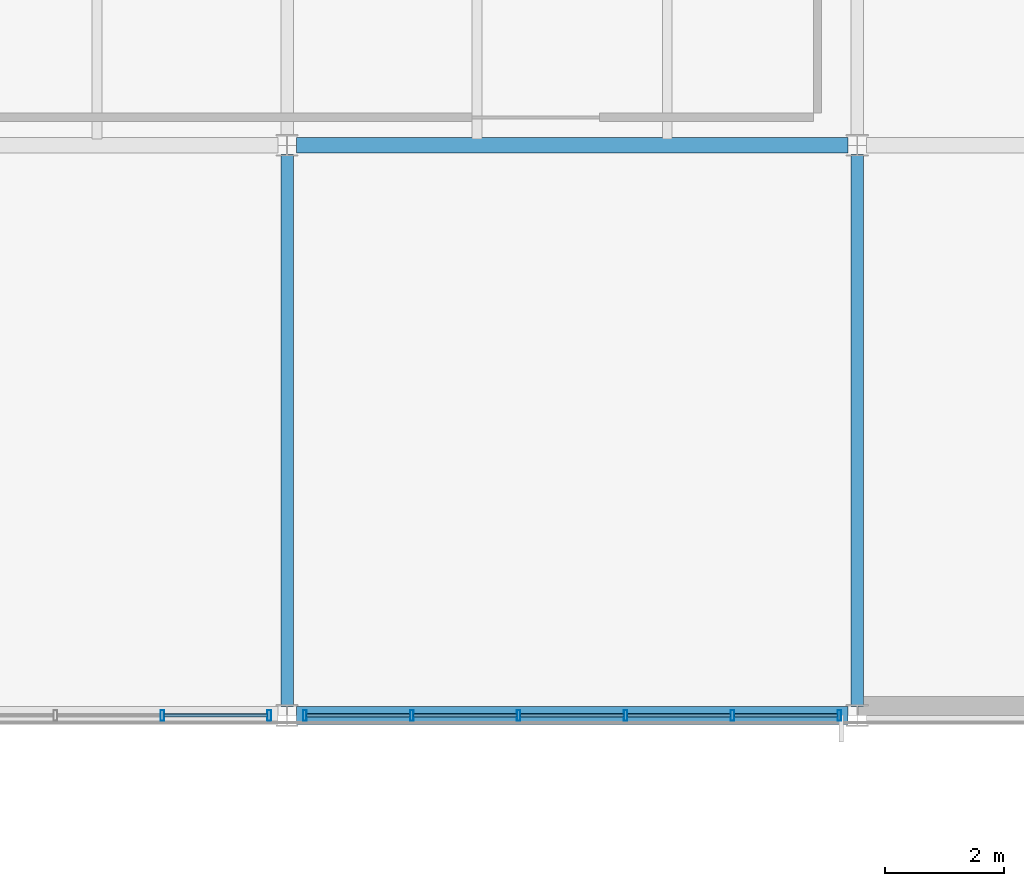
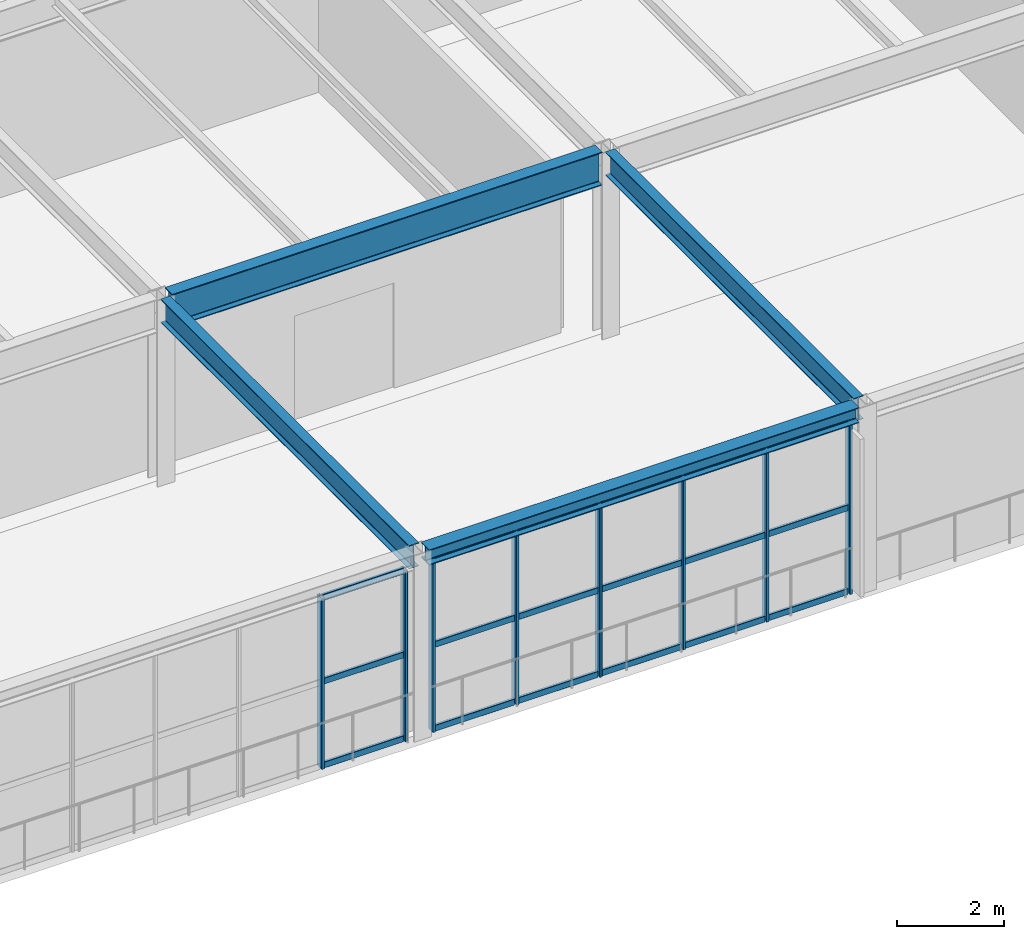
# One storey, part 94 of 170: 26 members, 4 beams, 2 elements without a shape of their own.
"""IFC4 building model written with IfcOpenShell, lengths in metres."""

from ifc_helpers import new_model, si_unit, direction, frame, origin, origin_2d, place, context, subcontext, project, spatial, hollow_rectangle, i_section, extrude, material, material_profile, profile_set, type_object, element, aggregate, save


model = new_model("IFC4")

# Units and contexts
model_context = context("Model", 3, precision=1e-05, world=origin(), true_north=direction((0.0, 1.0)))
body_context = subcontext(model_context, "Body", "Model", "MODEL_VIEW")
ifc_project = project(units=[si_unit("LENGTHUNIT", "METRE"), si_unit("AREAUNIT", "SQUARE_METRE"), si_unit("VOLUMEUNIT", "CUBIC_METRE"), si_unit("PLANEANGLEUNIT", "RADIAN"), si_unit("MASSUNIT", "GRAM", prefix="KILO")], contexts=[model_context])

# Site, building, storey
site_placement = place(None, origin())
site = spatial("IfcSite", under=ifc_project, at=site_placement, CompositionType="ELEMENT")
building_placement = place(site_placement, origin())
building = spatial("IfcBuilding", under=site, at=building_placement, Name="Coralgate Yard Interchange", CompositionType="ELEMENT")
storey_placement = place(building_placement, frame((0.0, 0.0, 6.0)))
storey = spatial("IfcBuildingStorey", under=building, at=storey_placement, Name="L01", CompositionType="ELEMENT", Elevation=6.0)

# Beams
ifc_material_1 = material(Name="Structural steel S355J2", Category="steel")
ifc_material_profile_1 = material_profile(ifc_material_1, i_section(OverallWidth=0.209228515625, OverallDepth=0.533203125, WebThickness=0.010009765625, FlangeThickness=0.015625, FilletRadius=0.0126953125, at=origin_2d()), Name="UB 533x210x92")
ifc_profile_set_1 = profile_set([ifc_material_profile_1], Name="Structural steel S355J2")
beam_type_1 = type_object("IfcBeamType", Name="BM-SB-1", PredefinedType="BEAM", material=ifc_profile_set_1)
for number, where, z_axis, x_axis, name in (
    (1, (67.199951171875, 67.35400390625, 3.9833984375), (0.0, 1.0, 0.0), (-1.0, 0.0, 0.0), "L01 primary grid girder X7 Y7-8"),
    (2, (76.800048828125, 67.35400390625, 3.9833984375), (0.0, 1.0, 0.0), (-1.0, 0.0, 0.0), "L01 primary grid girder X8 Y7-8"),
):
    element("IfcBeam", number, at=place(storey_placement, frame(where, z_axis=z_axis, x_axis=x_axis)), inside=storey, type_object=beam_type_1, Name=name, PredefinedType="BEAM", context=body_context, shape_type="SweptSolid", body=[
        extrude(i_section(OverallWidth=0.209228515625, OverallDepth=0.533203125, WebThickness=0.010009765625, FlangeThickness=0.015625, FilletRadius=0.0126953125, at=origin_2d()), origin(), (0.0, 0.0, 1.0), 9.2919921875),
    ])
ifc_material_profile_2 = material_profile(ifc_material_1, i_section(OverallWidth=0.2666015625, OverallDepth=0.76220703125, WebThickness=0.014404296875, FlangeThickness=0.021484375, FilletRadius=0.0166015625, at=origin_2d()), Name="UB 762x267x173")
ifc_profile_set_2 = profile_set([ifc_material_profile_2], Name="Structural steel S355J2")
beam_type_2 = type_object("IfcBeamType", Name="BM-SG-3", PredefinedType="BEAM", material=ifc_profile_set_2)
beam_1_placement = place(storey_placement, frame((67.356201171875, 76.800048828125, 3.868896484375), z_axis=(1.0, 0.0, 0.0), x_axis=(0.0, 1.0, 0.0)))
element("IfcBeam", 3, at=beam_1_placement, inside=storey, type_object=beam_type_2, Name="L01 primary grid beam Y8 X7-8", PredefinedType="BEAM", context=body_context, shape_type="SweptSolid", body=[
    extrude(i_section(OverallWidth=0.2666015625, OverallDepth=0.76220703125, WebThickness=0.014404296875, FlangeThickness=0.021484375, FilletRadius=0.0166015625, at=origin_2d()), origin(), (0.0, 0.0, 1.0), 9.28759765625),
])
ifc_material_profile_3 = material_profile(ifc_material_1, i_section(OverallWidth=0.300048828125, OverallDepth=0.35009765625, WebThickness=0.010009765625, FlangeThickness=0.017578125, FilletRadius=0.027099609375, at=origin_2d()), Name="HEA 360")
ifc_profile_set_3 = profile_set([ifc_material_profile_3], Name="Structural steel S355J2")
beam_type_3 = type_object("IfcBeamType", Name="BM-SP-1", PredefinedType="SPANDREL", material=ifc_profile_set_3)
beam_2_placement = place(storey_placement, frame((67.356201171875, 67.199951171875, 4.074951171875), z_axis=(1.0, 0.0, 0.0), x_axis=(0.0, 1.0, 0.0)))
element("IfcBeam", 4, at=beam_2_placement, inside=storey, type_object=beam_type_3, Name="L01 primary grid beam Y7 X7-8", PredefinedType="SPANDREL", context=body_context, shape_type="SweptSolid", body=[
    extrude(i_section(OverallWidth=0.300048828125, OverallDepth=0.35009765625, WebThickness=0.010009765625, FlangeThickness=0.017578125, FilletRadius=0.027099609375, at=origin_2d()), origin(), (0.0, 0.0, 1.0), 9.28759765625),
])

# Curtain wall, members
ifc_material_2 = material(Name="Anodised coastal aluminium and solar-control low-E glass", Category="aluminium")
curtain_wall_type = type_object("IfcCurtainWallType", Name="CW-CW-L01-A", PredefinedType="NOTDEFINED", material=ifc_material_2)
curtain_wall_1_placement = place(storey_placement, origin())
curtain_wall_1 = element("IfcCurtainWall", 5, at=curtain_wall_1_placement, inside=storey, type_object=curtain_wall_type, Name="L01 unitised curtain wall CW-L01-S-06-07", PredefinedType="NOTDEFINED")
ifc_material_3 = material(Name="Anodised coastal aluminium 6063-T6", Category="aluminium")
ifc_material_profile_4 = material_profile(ifc_material_3, hollow_rectangle(XDim=0.06005859375, YDim=0.179931640625, WallThickness=0.00390625, InnerFilletRadius=0.00390625, OuterFilletRadius=0.008056640625, at=origin_2d()), Name="ALU 60x180x4")
ifc_profile_set_4 = profile_set([ifc_material_profile_4], Name="Anodised coastal aluminium 6063-T6")
member_type_1 = type_object("IfcMemberType", Name="MB-MUL-180", PredefinedType="MULLION", material=ifc_profile_set_4)
member_1_placement = place(storey_placement, frame((66.89990234375, 67.199951171875, 0.0), z_axis=(0.0, 0.0, 1.0), x_axis=(1.0, 0.0, 0.0)))
member_1 = element("IfcMember", 6, at=member_1_placement, type_object=member_type_1, Name="CW-L01-S-06-07 vertical mullion 1", PredefinedType="MULLION", context=body_context, shape_type="SweptSolid", body=[
    extrude(hollow_rectangle(XDim=0.06005859375, YDim=0.179931640625, WallThickness=0.00390625, InnerFilletRadius=0.00390625, OuterFilletRadius=0.008056640625, at=origin_2d()), origin(), (0.0, 0.0, 1.0), 3.89990234375),
])
member_2_placement = place(storey_placement, frame((65.10009765625, 67.199951171875, 0.0), z_axis=(0.0, 0.0, 1.0), x_axis=(1.0, 0.0, 0.0)))
member_2 = element("IfcMember", 7, at=member_2_placement, type_object=member_type_1, Name="CW-L01-S-06-07 vertical mullion 2", PredefinedType="MULLION", context=body_context, shape_type="SweptSolid", body=[
    extrude(hollow_rectangle(XDim=0.06005859375, YDim=0.179931640625, WallThickness=0.00390625, InnerFilletRadius=0.00390625, OuterFilletRadius=0.008056640625, at=origin_2d()), origin(), (0.0, 0.0, 1.0), 3.89990234375),
])

curtain_wall_2_placement = place(storey_placement, origin())
curtain_wall_2 = element("IfcCurtainWall", 8, at=curtain_wall_2_placement, inside=storey, type_object=curtain_wall_type, Name="L01 unitised curtain wall CW-L01-S-07-07", PredefinedType="NOTDEFINED")
member_3_placement = place(storey_placement, frame((76.5, 67.199951171875, 0.0), z_axis=(0.0, 0.0, 1.0), x_axis=(1.0, 0.0, 0.0)))
member_3 = element("IfcMember", 9, at=member_3_placement, type_object=member_type_1, Name="CW-L01-S-07-07 vertical mullion 1", PredefinedType="MULLION", context=body_context, shape_type="SweptSolid", body=[
    extrude(hollow_rectangle(XDim=0.06005859375, YDim=0.179931640625, WallThickness=0.00390625, InnerFilletRadius=0.00390625, OuterFilletRadius=0.008056640625, at=origin_2d()), origin(), (0.0, 0.0, 1.0), 3.89990234375),
])
member_4_placement = place(storey_placement, frame((74.699951171875, 67.199951171875, 0.0), z_axis=(0.0, 0.0, 1.0), x_axis=(1.0, 0.0, 0.0)))
member_4 = element("IfcMember", 10, at=member_4_placement, type_object=member_type_1, Name="CW-L01-S-07-07 vertical mullion 2", PredefinedType="MULLION", context=body_context, shape_type="SweptSolid", body=[
    extrude(hollow_rectangle(XDim=0.06005859375, YDim=0.179931640625, WallThickness=0.00390625, InnerFilletRadius=0.00390625, OuterFilletRadius=0.008056640625, at=origin_2d()), origin(), (0.0, 0.0, 1.0), 3.89990234375),
])
member_5_placement = place(storey_placement, frame((72.89990234375, 67.199951171875, 0.0), z_axis=(0.0, 0.0, 1.0), x_axis=(1.0, 0.0, 0.0)))
member_5 = element("IfcMember", 11, at=member_5_placement, type_object=member_type_1, Name="CW-L01-S-07-07 vertical mullion 3", PredefinedType="MULLION", context=body_context, shape_type="SweptSolid", body=[
    extrude(hollow_rectangle(XDim=0.06005859375, YDim=0.179931640625, WallThickness=0.00390625, InnerFilletRadius=0.00390625, OuterFilletRadius=0.008056640625, at=origin_2d()), origin(), (0.0, 0.0, 1.0), 3.89990234375),
])
member_6_placement = place(storey_placement, frame((71.10009765625, 67.199951171875, 0.0), z_axis=(0.0, 0.0, 1.0), x_axis=(1.0, 0.0, 0.0)))
member_6 = element("IfcMember", 12, at=member_6_placement, type_object=member_type_1, Name="CW-L01-S-07-07 vertical mullion 4", PredefinedType="MULLION", context=body_context, shape_type="SweptSolid", body=[
    extrude(hollow_rectangle(XDim=0.06005859375, YDim=0.179931640625, WallThickness=0.00390625, InnerFilletRadius=0.00390625, OuterFilletRadius=0.008056640625, at=origin_2d()), origin(), (0.0, 0.0, 1.0), 3.89990234375),
])
member_7_placement = place(storey_placement, frame((69.300048828125, 67.199951171875, 0.0), z_axis=(0.0, 0.0, 1.0), x_axis=(1.0, 0.0, 0.0)))
member_7 = element("IfcMember", 13, at=member_7_placement, type_object=member_type_1, Name="CW-L01-S-07-07 vertical mullion 5", PredefinedType="MULLION", context=body_context, shape_type="SweptSolid", body=[
    extrude(hollow_rectangle(XDim=0.06005859375, YDim=0.179931640625, WallThickness=0.00390625, InnerFilletRadius=0.00390625, OuterFilletRadius=0.008056640625, at=origin_2d()), origin(), (0.0, 0.0, 1.0), 3.89990234375),
])
member_8_placement = place(storey_placement, frame((67.5, 67.199951171875, 0.0), z_axis=(0.0, 0.0, 1.0), x_axis=(1.0, 0.0, 0.0)))
member_8 = element("IfcMember", 14, at=member_8_placement, type_object=member_type_1, Name="CW-L01-S-07-07 vertical mullion 6", PredefinedType="MULLION", context=body_context, shape_type="SweptSolid", body=[
    extrude(hollow_rectangle(XDim=0.06005859375, YDim=0.179931640625, WallThickness=0.00390625, InnerFilletRadius=0.00390625, OuterFilletRadius=0.008056640625, at=origin_2d()), origin(), (0.0, 0.0, 1.0), 3.89990234375),
])

# Member
ifc_material_profile_5 = material_profile(ifc_material_3, hollow_rectangle(XDim=0.06005859375, YDim=0.139892578125, WallThickness=0.00341796875, InnerFilletRadius=0.00341796875, OuterFilletRadius=0.007080078125, at=origin_2d()), Name="ALU 60x140x3.5")
ifc_profile_set_5 = profile_set([ifc_material_profile_5], Name="Anodised coastal aluminium 6063-T6")
member_type_2 = type_object("IfcMemberType", Name="MB-TRN-140", PredefinedType="USERDEFINED", material=ifc_profile_set_5)
member_9_placement = place(storey_placement, frame((66.8701171875, 67.199951171875, 0.034912109375), z_axis=(-1.0, 0.0, 0.0), x_axis=(0.0, -1.0, 0.0)))
member_9 = element("IfcMember", 15, at=member_9_placement, type_object=member_type_2, Name="CW-L01-S-06-07 horizontal transom 1-1", ObjectType="TRANSOM", PredefinedType="USERDEFINED", context=body_context, shape_type="SweptSolid", body=[
    extrude(hollow_rectangle(XDim=0.06005859375, YDim=0.139892578125, WallThickness=0.00341796875, InnerFilletRadius=0.00341796875, OuterFilletRadius=0.007080078125, at=origin_2d()), origin(), (0.0, 0.0, 1.0), 1.740234375),
])

member_10_placement = place(storey_placement, frame((66.8701171875, 67.199951171875, 1.949951171875), z_axis=(-1.0, 0.0, 0.0), x_axis=(0.0, -1.0, 0.0)))
member_10 = element("IfcMember", 16, at=member_10_placement, type_object=member_type_2, Name="CW-L01-S-06-07 horizontal transom 1-2", ObjectType="TRANSOM", PredefinedType="USERDEFINED", context=body_context, shape_type="SweptSolid", body=[
    extrude(hollow_rectangle(XDim=0.06005859375, YDim=0.139892578125, WallThickness=0.00341796875, InnerFilletRadius=0.00341796875, OuterFilletRadius=0.007080078125, at=origin_2d()), origin(), (0.0, 0.0, 1.0), 1.740234375),
])

member_11_placement = place(storey_placement, frame((66.8701171875, 67.199951171875, 3.864990234375), z_axis=(-1.0, 0.0, 0.0), x_axis=(0.0, -1.0, 0.0)))
member_11 = element("IfcMember", 17, at=member_11_placement, type_object=member_type_2, Name="CW-L01-S-06-07 horizontal transom 1-3", ObjectType="TRANSOM", PredefinedType="USERDEFINED", context=body_context, shape_type="SweptSolid", body=[
    extrude(hollow_rectangle(XDim=0.06005859375, YDim=0.139892578125, WallThickness=0.00341796875, InnerFilletRadius=0.00341796875, OuterFilletRadius=0.007080078125, at=origin_2d()), origin(), (0.0, 0.0, 1.0), 1.740234375),
])

aggregate(curtain_wall_1, [member_1, member_2, member_9, member_10, member_11])

member_12_placement = place(storey_placement, frame((76.469970703125, 67.199951171875, 0.034912109375), z_axis=(-1.0, 0.0, 0.0), x_axis=(0.0, -1.0, 0.0)))
member_12 = element("IfcMember", 18, at=member_12_placement, type_object=member_type_2, Name="CW-L01-S-07-07 horizontal transom 1-1", ObjectType="TRANSOM", PredefinedType="USERDEFINED", context=body_context, shape_type="SweptSolid", body=[
    extrude(hollow_rectangle(XDim=0.06005859375, YDim=0.139892578125, WallThickness=0.00341796875, InnerFilletRadius=0.00341796875, OuterFilletRadius=0.007080078125, at=origin_2d()), origin(), (0.0, 0.0, 1.0), 1.739990234375),
])

member_13_placement = place(storey_placement, frame((76.469970703125, 67.199951171875, 1.949951171875), z_axis=(-1.0, 0.0, 0.0), x_axis=(0.0, -1.0, 0.0)))
member_13 = element("IfcMember", 19, at=member_13_placement, type_object=member_type_2, Name="CW-L01-S-07-07 horizontal transom 1-2", ObjectType="TRANSOM", PredefinedType="USERDEFINED", context=body_context, shape_type="SweptSolid", body=[
    extrude(hollow_rectangle(XDim=0.06005859375, YDim=0.139892578125, WallThickness=0.00341796875, InnerFilletRadius=0.00341796875, OuterFilletRadius=0.007080078125, at=origin_2d()), origin(), (0.0, 0.0, 1.0), 1.739990234375),
])

member_14_placement = place(storey_placement, frame((76.469970703125, 67.199951171875, 3.864990234375), z_axis=(-1.0, 0.0, 0.0), x_axis=(0.0, -1.0, 0.0)))
member_14 = element("IfcMember", 20, at=member_14_placement, type_object=member_type_2, Name="CW-L01-S-07-07 horizontal transom 1-3", ObjectType="TRANSOM", PredefinedType="USERDEFINED", context=body_context, shape_type="SweptSolid", body=[
    extrude(hollow_rectangle(XDim=0.06005859375, YDim=0.139892578125, WallThickness=0.00341796875, InnerFilletRadius=0.00341796875, OuterFilletRadius=0.007080078125, at=origin_2d()), origin(), (0.0, 0.0, 1.0), 1.739990234375),
])

member_15_placement = place(storey_placement, frame((74.669921875, 67.199951171875, 0.034912109375), z_axis=(-1.0, 0.0, 0.0), x_axis=(0.0, -1.0, 0.0)))
member_15 = element("IfcMember", 21, at=member_15_placement, type_object=member_type_2, Name="CW-L01-S-07-07 horizontal transom 2-1", ObjectType="TRANSOM", PredefinedType="USERDEFINED", context=body_context, shape_type="SweptSolid", body=[
    extrude(hollow_rectangle(XDim=0.06005859375, YDim=0.139892578125, WallThickness=0.00341796875, InnerFilletRadius=0.00341796875, OuterFilletRadius=0.007080078125, at=origin_2d()), origin(), (0.0, 0.0, 1.0), 1.739990234375),
])

member_16_placement = place(storey_placement, frame((74.669921875, 67.199951171875, 1.949951171875), z_axis=(-1.0, 0.0, 0.0), x_axis=(0.0, -1.0, 0.0)))
member_16 = element("IfcMember", 22, at=member_16_placement, type_object=member_type_2, Name="CW-L01-S-07-07 horizontal transom 2-2", ObjectType="TRANSOM", PredefinedType="USERDEFINED", context=body_context, shape_type="SweptSolid", body=[
    extrude(hollow_rectangle(XDim=0.06005859375, YDim=0.139892578125, WallThickness=0.00341796875, InnerFilletRadius=0.00341796875, OuterFilletRadius=0.007080078125, at=origin_2d()), origin(), (0.0, 0.0, 1.0), 1.739990234375),
])

member_17_placement = place(storey_placement, frame((74.669921875, 67.199951171875, 3.864990234375), z_axis=(-1.0, 0.0, 0.0), x_axis=(0.0, -1.0, 0.0)))
member_17 = element("IfcMember", 23, at=member_17_placement, type_object=member_type_2, Name="CW-L01-S-07-07 horizontal transom 2-3", ObjectType="TRANSOM", PredefinedType="USERDEFINED", context=body_context, shape_type="SweptSolid", body=[
    extrude(hollow_rectangle(XDim=0.06005859375, YDim=0.139892578125, WallThickness=0.00341796875, InnerFilletRadius=0.00341796875, OuterFilletRadius=0.007080078125, at=origin_2d()), origin(), (0.0, 0.0, 1.0), 1.739990234375),
])

member_18_placement = place(storey_placement, frame((72.8701171875, 67.199951171875, 0.034912109375), z_axis=(-1.0, 0.0, 0.0), x_axis=(0.0, -1.0, 0.0)))
member_18 = element("IfcMember", 24, at=member_18_placement, type_object=member_type_2, Name="CW-L01-S-07-07 horizontal transom 3-1", ObjectType="TRANSOM", PredefinedType="USERDEFINED", context=body_context, shape_type="SweptSolid", body=[
    extrude(hollow_rectangle(XDim=0.06005859375, YDim=0.139892578125, WallThickness=0.00341796875, InnerFilletRadius=0.00341796875, OuterFilletRadius=0.007080078125, at=origin_2d()), origin(), (0.0, 0.0, 1.0), 1.740234375),
])

member_19_placement = place(storey_placement, frame((72.8701171875, 67.199951171875, 1.949951171875), z_axis=(-1.0, 0.0, 0.0), x_axis=(0.0, -1.0, 0.0)))
member_19 = element("IfcMember", 25, at=member_19_placement, type_object=member_type_2, Name="CW-L01-S-07-07 horizontal transom 3-2", ObjectType="TRANSOM", PredefinedType="USERDEFINED", context=body_context, shape_type="SweptSolid", body=[
    extrude(hollow_rectangle(XDim=0.06005859375, YDim=0.139892578125, WallThickness=0.00341796875, InnerFilletRadius=0.00341796875, OuterFilletRadius=0.007080078125, at=origin_2d()), origin(), (0.0, 0.0, 1.0), 1.740234375),
])

member_20_placement = place(storey_placement, frame((72.8701171875, 67.199951171875, 3.864990234375), z_axis=(-1.0, 0.0, 0.0), x_axis=(0.0, -1.0, 0.0)))
member_20 = element("IfcMember", 26, at=member_20_placement, type_object=member_type_2, Name="CW-L01-S-07-07 horizontal transom 3-3", ObjectType="TRANSOM", PredefinedType="USERDEFINED", context=body_context, shape_type="SweptSolid", body=[
    extrude(hollow_rectangle(XDim=0.06005859375, YDim=0.139892578125, WallThickness=0.00341796875, InnerFilletRadius=0.00341796875, OuterFilletRadius=0.007080078125, at=origin_2d()), origin(), (0.0, 0.0, 1.0), 1.740234375),
])

member_21_placement = place(storey_placement, frame((71.070068359375, 67.199951171875, 0.034912109375), z_axis=(-1.0, 0.0, 0.0), x_axis=(0.0, -1.0, 0.0)))
member_21 = element("IfcMember", 27, at=member_21_placement, type_object=member_type_2, Name="CW-L01-S-07-07 horizontal transom 4-1", ObjectType="TRANSOM", PredefinedType="USERDEFINED", context=body_context, shape_type="SweptSolid", body=[
    extrude(hollow_rectangle(XDim=0.06005859375, YDim=0.139892578125, WallThickness=0.00341796875, InnerFilletRadius=0.00341796875, OuterFilletRadius=0.007080078125, at=origin_2d()), origin(), (0.0, 0.0, 1.0), 1.739990234375),
])

member_22_placement = place(storey_placement, frame((71.070068359375, 67.199951171875, 1.949951171875), z_axis=(-1.0, 0.0, 0.0), x_axis=(0.0, -1.0, 0.0)))
member_22 = element("IfcMember", 28, at=member_22_placement, type_object=member_type_2, Name="CW-L01-S-07-07 horizontal transom 4-2", ObjectType="TRANSOM", PredefinedType="USERDEFINED", context=body_context, shape_type="SweptSolid", body=[
    extrude(hollow_rectangle(XDim=0.06005859375, YDim=0.139892578125, WallThickness=0.00341796875, InnerFilletRadius=0.00341796875, OuterFilletRadius=0.007080078125, at=origin_2d()), origin(), (0.0, 0.0, 1.0), 1.739990234375),
])

member_23_placement = place(storey_placement, frame((71.070068359375, 67.199951171875, 3.864990234375), z_axis=(-1.0, 0.0, 0.0), x_axis=(0.0, -1.0, 0.0)))
member_23 = element("IfcMember", 29, at=member_23_placement, type_object=member_type_2, Name="CW-L01-S-07-07 horizontal transom 4-3", ObjectType="TRANSOM", PredefinedType="USERDEFINED", context=body_context, shape_type="SweptSolid", body=[
    extrude(hollow_rectangle(XDim=0.06005859375, YDim=0.139892578125, WallThickness=0.00341796875, InnerFilletRadius=0.00341796875, OuterFilletRadius=0.007080078125, at=origin_2d()), origin(), (0.0, 0.0, 1.0), 1.739990234375),
])

member_24_placement = place(storey_placement, frame((69.27001953125, 67.199951171875, 0.034912109375), z_axis=(-1.0, 0.0, 0.0), x_axis=(0.0, -1.0, 0.0)))
member_24 = element("IfcMember", 30, at=member_24_placement, type_object=member_type_2, Name="CW-L01-S-07-07 horizontal transom 5-1", ObjectType="TRANSOM", PredefinedType="USERDEFINED", context=body_context, shape_type="SweptSolid", body=[
    extrude(hollow_rectangle(XDim=0.06005859375, YDim=0.139892578125, WallThickness=0.00341796875, InnerFilletRadius=0.00341796875, OuterFilletRadius=0.007080078125, at=origin_2d()), origin(), (0.0, 0.0, 1.0), 1.739990234375),
])

member_25_placement = place(storey_placement, frame((69.27001953125, 67.199951171875, 1.949951171875), z_axis=(-1.0, 0.0, 0.0), x_axis=(0.0, -1.0, 0.0)))
member_25 = element("IfcMember", 31, at=member_25_placement, type_object=member_type_2, Name="CW-L01-S-07-07 horizontal transom 5-2", ObjectType="TRANSOM", PredefinedType="USERDEFINED", context=body_context, shape_type="SweptSolid", body=[
    extrude(hollow_rectangle(XDim=0.06005859375, YDim=0.139892578125, WallThickness=0.00341796875, InnerFilletRadius=0.00341796875, OuterFilletRadius=0.007080078125, at=origin_2d()), origin(), (0.0, 0.0, 1.0), 1.739990234375),
])

member_26_placement = place(storey_placement, frame((69.27001953125, 67.199951171875, 3.864990234375), z_axis=(-1.0, 0.0, 0.0), x_axis=(0.0, -1.0, 0.0)))
member_26 = element("IfcMember", 32, at=member_26_placement, type_object=member_type_2, Name="CW-L01-S-07-07 horizontal transom 5-3", ObjectType="TRANSOM", PredefinedType="USERDEFINED", context=body_context, shape_type="SweptSolid", body=[
    extrude(hollow_rectangle(XDim=0.06005859375, YDim=0.139892578125, WallThickness=0.00341796875, InnerFilletRadius=0.00341796875, OuterFilletRadius=0.007080078125, at=origin_2d()), origin(), (0.0, 0.0, 1.0), 1.739990234375),
])

aggregate(curtain_wall_2, [member_3, member_4, member_5, member_6, member_7, member_8, member_12, member_13, member_14, member_15, member_16, member_17, member_18, member_19, member_20, member_21, member_22, member_23, member_24, member_25, member_26])

save(model, "model.ifc")
